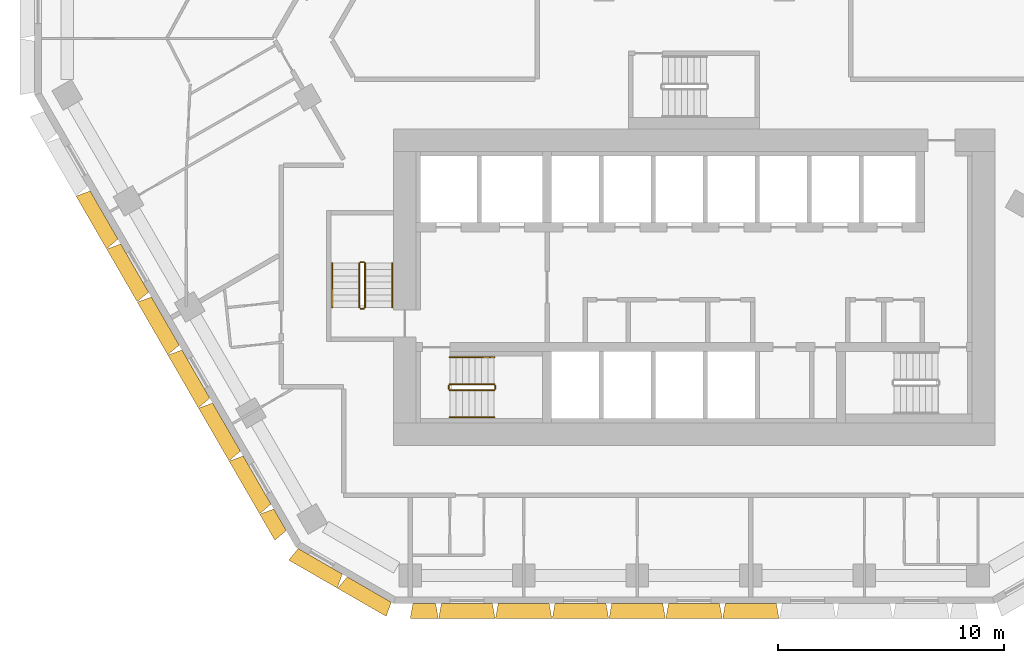
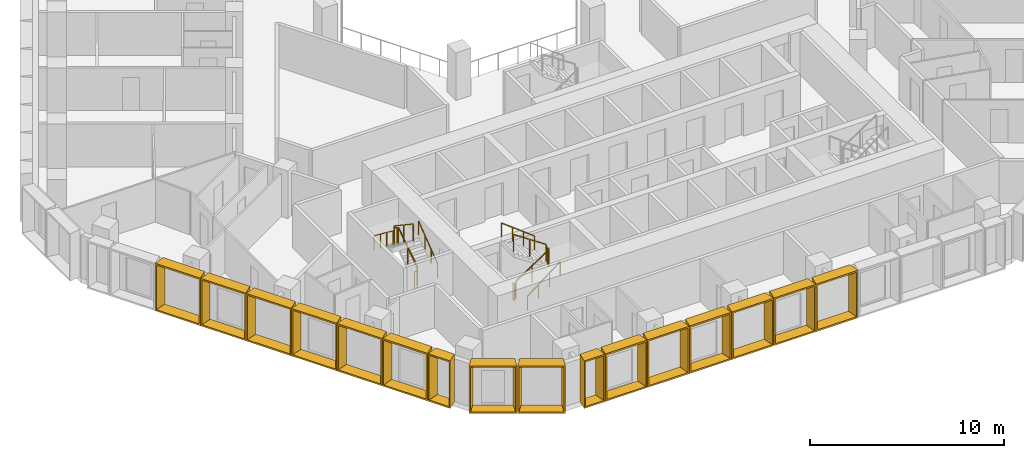
# One storey, part 13 of 16: 16 shading devices, 12 railings.
"""IFC4 building model written with IfcOpenShell, lengths in metres."""

from ifc_helpers import new_model, entity, si_unit, direction, frame, origin, origin_2d, place, context, subcontext, project, spatial, rectangle, extrude, source, transform, mapped, material, type_object, type_shapes, element, save


model = new_model("IFC4")

# Units and contexts
model_context = context("Model", 3, precision=1e-05, world=origin(), true_north=direction((0.0, 1.0)))
body_context = subcontext(model_context, "Body", "Model", "MODEL_VIEW")
ifc_project = project(units=[si_unit("LENGTHUNIT", "METRE"), si_unit("AREAUNIT", "SQUARE_METRE"), si_unit("VOLUMEUNIT", "CUBIC_METRE"), si_unit("PLANEANGLEUNIT", "RADIAN"), si_unit("MASSUNIT", "GRAM", prefix="KILO")], contexts=[model_context])

# Site, building, storey
site_placement = place(None, origin())
site = spatial("IfcSite", under=ifc_project, at=site_placement, CompositionType="ELEMENT")
building_placement = place(site_placement, origin())
building = spatial("IfcBuilding", under=site, at=building_placement, Name="Beryl Residences", CompositionType="ELEMENT")
storey_placement = place(building_placement, frame((0.0, 0.0, 90.0)))
storey = spatial("IfcBuildingStorey", under=building, at=storey_placement, Name="L27", CompositionType="ELEMENT", Elevation=90.0)

# Shading devices
ifc_material_1 = material(Name="Aluminium pale anodised", Category="aluminium")
shading_device_type_1 = type_object("IfcShadingDeviceType", Name="FR126-65A OUTER SKIN frame 650 mm deep, splay 10/10 deg, 1260 x 3000 mm cell", PredefinedType="USERDEFINED", material=ifc_material_1)
cartesian_point_1 = entity("IfcCartesianPoint", [-0.5048828125, 0.0])
cartesian_point_2 = entity("IfcCartesianPoint", [-0.423828125, 0.10009765625])
cartesian_point_3 = entity("IfcCartesianPoint", [-0.61962890625, 0.0])
cartesian_point_4 = entity("IfcCartesianPoint", [-0.538330078125, 0.10009765625])
shared_shape_1 = source(origin(), body_context, "Body", "SweptSolid", [
    entity("IfcExtrudedAreaSolidTapered", entity("IfcArbitraryProfileDefWithVoids", "AREA", None, entity("IfcPolyline", [cartesian_point_1, entity("IfcCartesianPoint", [0.5048828125, 0.0]), entity("IfcCartesianPoint", [0.5048828125, 3.0]), entity("IfcCartesianPoint", [-0.5048828125, 3.0]), cartesian_point_1]), [entity("IfcPolyline", [cartesian_point_2, entity("IfcCartesianPoint", [0.423828125, 0.10009765625]), entity("IfcCartesianPoint", [0.423828125, 2.89990234375]), entity("IfcCartesianPoint", [-0.423828125, 2.89990234375]), cartesian_point_2])]), entity("IfcAxis2Placement3D", entity("IfcCartesianPoint", [0.0, 0.0, 0.0]), entity("IfcDirection", [0.0, 1.0, 0.0]), entity("IfcDirection", [-1.0, 0.0, 0.0])), entity("IfcDirection", [0.0, 0.0, 1.0]), 0.64990234375, entity("IfcArbitraryProfileDefWithVoids", "AREA", None, entity("IfcPolyline", [cartesian_point_3, entity("IfcCartesianPoint", [0.61962890625, 0.0]), entity("IfcCartesianPoint", [0.61962890625, 3.0]), entity("IfcCartesianPoint", [-0.61962890625, 3.0]), cartesian_point_3]), [entity("IfcPolyline", [cartesian_point_4, entity("IfcCartesianPoint", [0.538330078125, 0.10009765625]), entity("IfcCartesianPoint", [0.538330078125, 2.89990234375]), entity("IfcCartesianPoint", [-0.538330078125, 2.89990234375]), cartesian_point_4])])),
])
type_shapes(shading_device_type_1, [shared_shape_1])
shading_device_1_placement = place(storey_placement, frame((-11.928955078125, -26.0, 0.0), z_axis=(0.0, 0.0, 1.0), x_axis=(-1.0, 0.0, 0.0)))
element("IfcShadingDevice", 1, at=shading_device_1_placement, inside=storey, type_object=shading_device_type_1, Name="FR126-65A frame L27 S 1", ObjectType="OUTER SKIN", PredefinedType="USERDEFINED", context=body_context, shape_type="MappedRepresentation", body=[
    mapped(shared_shape_1, transform((0.0, 0.0, 0.0))),
])
ifc_material_2 = material(Name="Aluminium pale anodised", Category="aluminium")
shading_device_type_2 = type_object("IfcShadingDeviceType", Name="FR135-65A OUTER SKIN frame 650 mm deep, splay 10/10 deg, 1350 x 3000 mm cell", PredefinedType="USERDEFINED", material=ifc_material_2)
cartesian_point_5 = entity("IfcCartesianPoint", [-0.550048828125, 0.0])
cartesian_point_6 = entity("IfcCartesianPoint", [-0.46875, 0.10009765625])
cartesian_point_7 = entity("IfcCartesianPoint", [-0.66455078125, 0.0])
cartesian_point_8 = entity("IfcCartesianPoint", [-0.58349609375, 0.10009765625])
shared_shape_2 = source(origin(), body_context, "Body", "SweptSolid", [
    entity("IfcExtrudedAreaSolidTapered", entity("IfcArbitraryProfileDefWithVoids", "AREA", None, entity("IfcPolyline", [cartesian_point_5, entity("IfcCartesianPoint", [0.550048828125, 0.0]), entity("IfcCartesianPoint", [0.550048828125, 3.0]), entity("IfcCartesianPoint", [-0.550048828125, 3.0]), cartesian_point_5]), [entity("IfcPolyline", [cartesian_point_6, entity("IfcCartesianPoint", [0.46875, 0.10009765625]), entity("IfcCartesianPoint", [0.46875, 2.89990234375]), entity("IfcCartesianPoint", [-0.46875, 2.89990234375]), cartesian_point_6])]), entity("IfcAxis2Placement3D", entity("IfcCartesianPoint", [0.0, 0.0, 0.0]), entity("IfcDirection", [0.0, 1.0, 0.0]), entity("IfcDirection", [-1.0, 0.0, 0.0])), entity("IfcDirection", [0.0, 0.0, 1.0]), 0.64990234375, entity("IfcArbitraryProfileDefWithVoids", "AREA", None, entity("IfcPolyline", [cartesian_point_7, entity("IfcCartesianPoint", [0.66455078125, 0.0]), entity("IfcCartesianPoint", [0.66455078125, 3.0]), entity("IfcCartesianPoint", [-0.66455078125, 3.0]), cartesian_point_7]), [entity("IfcPolyline", [cartesian_point_8, entity("IfcCartesianPoint", [0.58349609375, 0.10009765625]), entity("IfcCartesianPoint", [0.58349609375, 2.89990234375]), entity("IfcCartesianPoint", [-0.58349609375, 2.89990234375]), cartesian_point_8])])),
])
type_shapes(shading_device_type_2, [shared_shape_2])
shading_device_2_placement = place(storey_placement, frame((-18.30810546875, -22.2900390625, 0.0), z_axis=(0.0, 0.0, 1.0), x_axis=(-0.5, 0.866025403784, 0.0)))
element("IfcShadingDevice", 2, at=shading_device_2_placement, inside=storey, type_object=shading_device_type_2, Name="FR135-65A frame L27 SW 9", ObjectType="OUTER SKIN", PredefinedType="USERDEFINED", context=body_context, shape_type="MappedRepresentation", body=[
    mapped(shared_shape_2, transform((0.0, 0.0, 0.0))),
])
ifc_material_3 = material(Name="Aluminium pale anodised", Category="aluminium")
shading_device_type_3 = type_object("IfcShadingDeviceType", Name="FR250-65A OUTER SKIN frame 650 mm deep, splay 10/10 deg, 2500 x 3000 mm cell", PredefinedType="USERDEFINED", material=ifc_material_3)
cartesian_point_9 = entity("IfcCartesianPoint", [-1.125, 0.0])
cartesian_point_10 = entity("IfcCartesianPoint", [-1.043701171875, 0.10009765625])
cartesian_point_11 = entity("IfcCartesianPoint", [-1.239501953125, 0.0])
cartesian_point_12 = entity("IfcCartesianPoint", [-1.158447265625, 0.10009765625])
shared_shape_3 = source(origin(), body_context, "Body", "SweptSolid", [
    entity("IfcExtrudedAreaSolidTapered", entity("IfcArbitraryProfileDefWithVoids", "AREA", None, entity("IfcPolyline", [cartesian_point_9, entity("IfcCartesianPoint", [1.125, 0.0]), entity("IfcCartesianPoint", [1.125, 3.0]), entity("IfcCartesianPoint", [-1.125, 3.0]), cartesian_point_9]), [entity("IfcPolyline", [cartesian_point_10, entity("IfcCartesianPoint", [1.043701171875, 0.10009765625]), entity("IfcCartesianPoint", [1.043701171875, 2.89990234375]), entity("IfcCartesianPoint", [-1.043701171875, 2.89990234375]), cartesian_point_10])]), entity("IfcAxis2Placement3D", entity("IfcCartesianPoint", [0.0, 0.0, 0.0]), entity("IfcDirection", [0.0, 1.0, 0.0]), entity("IfcDirection", [-1.0, 0.0, 0.0])), entity("IfcDirection", [0.0, 0.0, 1.0]), 0.64990234375, entity("IfcArbitraryProfileDefWithVoids", "AREA", None, entity("IfcPolyline", [cartesian_point_11, entity("IfcCartesianPoint", [1.239501953125, 0.0]), entity("IfcCartesianPoint", [1.239501953125, 3.0]), entity("IfcCartesianPoint", [-1.239501953125, 3.0]), cartesian_point_11]), [entity("IfcPolyline", [cartesian_point_12, entity("IfcCartesianPoint", [1.158447265625, 0.10009765625]), entity("IfcCartesianPoint", [1.158447265625, 2.89990234375]), entity("IfcCartesianPoint", [-1.158447265625, 2.89990234375]), cartesian_point_12])])),
])
type_shapes(shading_device_type_3, [shared_shape_3])
for number, where, z_axis, x_axis, name in (
    (3, (-16.527099609375, -24.125, 0.0), (0.0, 0.0, 1.0), (-0.866025403784, 0.5, 0.0), "FR250-65A frame L27 SW-S 1"),
    (4, (-14.361083984375, -25.375, 0.0), (0.0, 0.0, 1.0), (-0.866025403784, 0.5, 0.0), "FR250-65A frame L27 SW-S 2"),
):
    element("IfcShadingDevice", number, at=place(storey_placement, frame(where, z_axis=z_axis, x_axis=x_axis)), inside=storey, type_object=shading_device_type_3, Name=name, ObjectType="OUTER SKIN", PredefinedType="USERDEFINED", context=body_context, shape_type="MappedRepresentation", body=[
        mapped(shared_shape_3, transform((0.0, 0.0, 0.0))),
    ])
ifc_material_4 = material(Name="Aluminium pale anodised", Category="aluminium")
shading_device_type_4 = type_object("IfcShadingDeviceType", Name="FR251-65A OUTER SKIN frame 650 mm deep, splay 10/10 deg, 2510 x 3000 mm cell", PredefinedType="USERDEFINED", material=ifc_material_4)
cartesian_point_13 = entity("IfcCartesianPoint", [-1.1298828125, 0.0])
cartesian_point_14 = entity("IfcCartesianPoint", [-1.048828125, 0.10009765625])
cartesian_point_15 = entity("IfcCartesianPoint", [-1.24462890625, 0.0])
cartesian_point_16 = entity("IfcCartesianPoint", [-1.163330078125, 0.10009765625])
shared_shape_4 = source(origin(), body_context, "Body", "SweptSolid", [
    entity("IfcExtrudedAreaSolidTapered", entity("IfcArbitraryProfileDefWithVoids", "AREA", None, entity("IfcPolyline", [cartesian_point_13, entity("IfcCartesianPoint", [1.1298828125, 0.0]), entity("IfcCartesianPoint", [1.1298828125, 3.0]), entity("IfcCartesianPoint", [-1.1298828125, 3.0]), cartesian_point_13]), [entity("IfcPolyline", [cartesian_point_14, entity("IfcCartesianPoint", [1.048828125, 0.10009765625]), entity("IfcCartesianPoint", [1.048828125, 2.89990234375]), entity("IfcCartesianPoint", [-1.048828125, 2.89990234375]), cartesian_point_14])]), entity("IfcAxis2Placement3D", entity("IfcCartesianPoint", [0.0, 0.0, 0.0]), entity("IfcDirection", [0.0, 1.0, 0.0]), entity("IfcDirection", [-1.0, 0.0, 0.0])), entity("IfcDirection", [0.0, 0.0, 1.0]), 0.64990234375, entity("IfcArbitraryProfileDefWithVoids", "AREA", None, entity("IfcPolyline", [cartesian_point_15, entity("IfcCartesianPoint", [1.24462890625, 0.0]), entity("IfcCartesianPoint", [1.24462890625, 3.0]), entity("IfcCartesianPoint", [-1.24462890625, 3.0]), cartesian_point_15]), [entity("IfcPolyline", [cartesian_point_16, entity("IfcCartesianPoint", [1.163330078125, 0.10009765625]), entity("IfcCartesianPoint", [1.163330078125, 2.89990234375]), entity("IfcCartesianPoint", [-1.163330078125, 2.89990234375]), cartesian_point_16])])),
])
type_shapes(shading_device_type_4, [shared_shape_4])
for number, where, z_axis, x_axis, name in (
    (5, (-10.0458984375, -26.0, 0.0), (0.0, 0.0, 1.0), (-1.0, 0.0, 0.0), "FR251-65A frame L27 S 2"),
    (6, (-7.533935546875, -26.0, 0.0), (0.0, 0.0, 1.0), (-1.0, 0.0, 0.0), "FR251-65A frame L27 S 3"),
    (7, (-5.02197265625, -26.0, 0.0), (0.0, 0.0, 1.0), (-1.0, 0.0, 0.0), "FR251-65A frame L27 S 4"),
    (8, (-2.510986328125, -26.0, 0.0), (0.0, 0.0, 1.0), (-1.0, 0.0, 0.0), "FR251-65A frame L27 S 5"),
    (9, (0.0, -26.0, 0.0), (0.0, 0.0, 1.0), (-1.0, 0.0, 0.0), "FR251-65A frame L27 S 6"),
    (10, (2.511962890625, -26.0, 0.0), (0.0, 0.0, 1.0), (-1.0, 0.0, 0.0), "FR251-65A frame L27 S 7"),
):
    element("IfcShadingDevice", number, at=place(storey_placement, frame(where, z_axis=z_axis, x_axis=x_axis)), inside=storey, type_object=shading_device_type_4, Name=name, ObjectType="OUTER SKIN", PredefinedType="USERDEFINED", context=body_context, shape_type="MappedRepresentation", body=[
        mapped(shared_shape_4, transform((0.0, 0.0, 0.0))),
    ])
ifc_material_5 = material(Name="Aluminium pale anodised", Category="aluminium")
shading_device_type_5 = type_object("IfcShadingDeviceType", Name="FR271-65A OUTER SKIN frame 650 mm deep, splay 10/10 deg, 2710 x 3000 mm cell", PredefinedType="USERDEFINED", material=ifc_material_5)
cartesian_point_17 = entity("IfcCartesianPoint", [-1.22998046875, 0.0])
cartesian_point_18 = entity("IfcCartesianPoint", [-1.148681640625, 0.10009765625])
cartesian_point_19 = entity("IfcCartesianPoint", [-1.3447265625, 0.0])
cartesian_point_20 = entity("IfcCartesianPoint", [-1.263427734375, 0.10009765625])
shared_shape_5 = source(origin(), body_context, "Body", "SweptSolid", [
    entity("IfcExtrudedAreaSolidTapered", entity("IfcArbitraryProfileDefWithVoids", "AREA", None, entity("IfcPolyline", [cartesian_point_17, entity("IfcCartesianPoint", [1.22998046875, 0.0]), entity("IfcCartesianPoint", [1.22998046875, 3.0]), entity("IfcCartesianPoint", [-1.22998046875, 3.0]), cartesian_point_17]), [entity("IfcPolyline", [cartesian_point_18, entity("IfcCartesianPoint", [1.148681640625, 0.10009765625]), entity("IfcCartesianPoint", [1.148681640625, 2.89990234375]), entity("IfcCartesianPoint", [-1.148681640625, 2.89990234375]), cartesian_point_18])]), entity("IfcAxis2Placement3D", entity("IfcCartesianPoint", [0.0, 0.0, 0.0]), entity("IfcDirection", [0.0, 1.0, 0.0]), entity("IfcDirection", [-1.0, 0.0, 0.0])), entity("IfcDirection", [0.0, 0.0, 1.0]), 0.64990234375, entity("IfcArbitraryProfileDefWithVoids", "AREA", None, entity("IfcPolyline", [cartesian_point_19, entity("IfcCartesianPoint", [1.3447265625, 0.0]), entity("IfcCartesianPoint", [1.3447265625, 3.0]), entity("IfcCartesianPoint", [-1.3447265625, 3.0]), cartesian_point_19]), [entity("IfcPolyline", [cartesian_point_20, entity("IfcCartesianPoint", [1.263427734375, 0.10009765625]), entity("IfcCartesianPoint", [1.263427734375, 2.89990234375]), entity("IfcCartesianPoint", [-1.263427734375, 2.89990234375]), cartesian_point_20])])),
])
type_shapes(shading_device_type_5, [shared_shape_5])
for number, where, z_axis, x_axis, name in (
    (11, (-26.090087890625, -8.81201171875, 0.0), (0.0, 0.0, 1.0), (-0.5, 0.866025403784, 0.0), "FR271-65A frame L27 SW 3"),
    (12, (-24.736083984375, -11.156005859375, 0.0), (0.0, 0.0, 1.0), (-0.5, 0.866025403784, 0.0), "FR271-65A frame L27 SW 4"),
    (13, (-23.383056640625, -13.5, 0.0), (0.0, 0.0, 1.0), (-0.5, 0.866025403784, 0.0), "FR271-65A frame L27 SW 5"),
    (14, (-22.030029296875, -15.843994140625, 0.0), (0.0, 0.0, 1.0), (-0.5, 0.866025403784, 0.0), "FR271-65A frame L27 SW 6"),
    (15, (-20.676025390625, -18.18798828125, 0.0), (0.0, 0.0, 1.0), (-0.5, 0.866025403784, 0.0), "FR271-65A frame L27 SW 7"),
    (16, (-19.322998046875, -20.531982421875, 0.0), (0.0, 0.0, 1.0), (-0.5, 0.866025403784, 0.0), "FR271-65A frame L27 SW 8"),
):
    element("IfcShadingDevice", number, at=place(storey_placement, frame(where, z_axis=z_axis, x_axis=x_axis)), inside=storey, type_object=shading_device_type_5, Name=name, ObjectType="OUTER SKIN", PredefinedType="USERDEFINED", context=body_context, shape_type="MappedRepresentation", body=[
        mapped(shared_shape_5, transform((0.0, 0.0, 0.0))),
    ])

# Railings
ifc_material_6 = material(Name="Stainless steel balustrade with glass infill", Category="steel")
railing_type_1 = type_object("IfcRailingType", Name="SG1 stair guard 1100 mm", PredefinedType="GUARDRAIL", material=ifc_material_6)
railing_1_placement = place(storey_placement, frame((-10.800048828125, -16.550048828125, 0.1875)))
element("IfcRailing", 17, at=railing_1_placement, inside=storey, type_object=railing_type_1, Name="L27 ST-1 stair guard 1", PredefinedType="GUARDRAIL", context=body_context, shape_type="SweptSolid", body=[
    extrude(rectangle(XDim=0.048095703125, YDim=0.048095703125, at=origin_2d()), frame((0.0, 0.0, 1.076171875), z_axis=(0.830902050051, 0.0, 0.556418712142), x_axis=(0.0, 1.0, 0.0)), (0.0, 0.0, 1.0), 2.35888671875),
    extrude(rectangle(XDim=0.0419921875, YDim=0.0419921875, at=origin_2d()), origin(), (0.0, 0.0, 1.0), 1.052001953125),
    extrude(rectangle(XDim=0.0419921875, YDim=0.0419921875, at=origin_2d()), frame((0.97998046875, 0.0, 0.65625)), (0.0, 0.0, 1.0), 1.052001953125),
    extrude(rectangle(XDim=0.0419921875, YDim=0.0419921875, at=origin_2d()), frame((1.9599609375, 0.0, 1.3125)), (0.0, 0.0, 1.0), 1.052001953125),
])
railing_2_placement = place(storey_placement, frame((-8.7900390625, -16.5, 1.5)))
element("IfcRailing", 18, at=railing_2_placement, inside=storey, type_object=railing_type_1, Name="L27 ST-1 stair guard 2", PredefinedType="GUARDRAIL", context=body_context, shape_type="SweptSolid", body=[
    extrude(rectangle(XDim=0.048095703125, YDim=0.048095703125, at=origin_2d()), frame((0.0, 0.0, 1.076171875), z_axis=(0.0, 1.0, 0.0), x_axis=(-1.0, 0.0, 0.0)), (0.0, 0.0, 1.0), 0.14990234375),
    extrude(rectangle(XDim=0.0419921875, YDim=0.0419921875, at=origin_2d()), origin(), (0.0, 0.0, 1.0), 1.052001953125),
    extrude(rectangle(XDim=0.0419921875, YDim=0.0419921875, at=origin_2d()), frame((0.0, 0.14990234375, 0.0)), (0.0, 0.0, 1.0), 1.052001953125),
])
railing_3_placement = place(storey_placement, frame((-8.840087890625, -16.300048828125, 1.6875)))
element("IfcRailing", 19, at=railing_3_placement, inside=storey, type_object=railing_type_1, Name="L27 ST-1 stair guard 3", PredefinedType="GUARDRAIL", context=body_context, shape_type="SweptSolid", body=[
    extrude(rectangle(XDim=0.048095703125, YDim=0.048095703125, at=origin_2d()), frame((0.0, 0.0, 1.076171875), z_axis=(-0.830902050051, 0.0, 0.556418712142), x_axis=(0.0, -1.0, 0.0)), (0.0, 0.0, 1.0), 2.35888671875),
    extrude(rectangle(XDim=0.0419921875, YDim=0.0419921875, at=origin_2d()), origin(), (0.0, 0.0, 1.0), 1.052001953125),
    extrude(rectangle(XDim=0.0419921875, YDim=0.0419921875, at=origin_2d()), frame((-0.97998046875, 0.0, 0.65625)), (0.0, 0.0, 1.0), 1.052001953125),
    extrude(rectangle(XDim=0.0419921875, YDim=0.0419921875, at=origin_2d()), frame((-1.9599609375, 0.0, 1.3125)), (0.0, 0.0, 1.0), 1.052001953125),
])
railing_4_placement = place(storey_placement, frame((-10.85009765625, -16.5, 0.0)))
element("IfcRailing", 20, at=railing_4_placement, inside=storey, type_object=railing_type_1, Name="L27 ST-1 stair guard 4", PredefinedType="GUARDRAIL", context=body_context, shape_type="SweptSolid", body=[
    extrude(rectangle(XDim=0.048095703125, YDim=0.048095703125, at=origin_2d()), frame((0.0, 0.0, 1.076171875), z_axis=(0.0, 1.0, 0.0), x_axis=(-1.0, 0.0, 0.0)), (0.0, 0.0, 1.0), 0.14990234375),
    extrude(rectangle(XDim=0.0419921875, YDim=0.0419921875, at=origin_2d()), origin(), (0.0, 0.0, 1.0), 1.052001953125),
    extrude(rectangle(XDim=0.0419921875, YDim=0.0419921875, at=origin_2d()), frame((0.0, 0.14990234375, 0.0)), (0.0, 0.0, 1.0), 1.052001953125),
])
railing_5_placement = place(storey_placement, frame((-14.550048828125, -12.89990234375, 0.1875)))
element("IfcRailing", 21, at=railing_5_placement, inside=storey, type_object=railing_type_1, Name="L27 ST-2 stair guard 1", PredefinedType="GUARDRAIL", context=body_context, shape_type="SweptSolid", body=[
    extrude(rectangle(XDim=0.048095703125, YDim=0.048095703125, at=origin_2d()), frame((0.0, 0.0, 1.076171875), z_axis=(0.0, 0.830902050051, 0.556418712142), x_axis=(-1.0, 0.0, 0.0)), (0.0, 0.0, 1.0), 2.35888671875),
    extrude(rectangle(XDim=0.0419921875, YDim=0.0419921875, at=origin_2d()), origin(), (0.0, 0.0, 1.0), 1.052001953125),
    extrude(rectangle(XDim=0.0419921875, YDim=0.0419921875, at=origin_2d()), frame((0.0, 0.97998046875, 0.65625)), (0.0, 0.0, 1.0), 1.052001953125),
    extrude(rectangle(XDim=0.0419921875, YDim=0.0419921875, at=origin_2d()), frame((0.0, 1.9599609375, 1.3125)), (0.0, 0.0, 1.0), 1.052001953125),
])
railing_6_placement = place(storey_placement, frame((-14.60009765625, -10.889892578125, 1.5)))
element("IfcRailing", 22, at=railing_6_placement, inside=storey, type_object=railing_type_1, Name="L27 ST-2 stair guard 2", PredefinedType="GUARDRAIL", context=body_context, shape_type="SweptSolid", body=[
    extrude(rectangle(XDim=0.048095703125, YDim=0.048095703125, at=origin_2d()), frame((0.0, 0.0, 1.076171875), z_axis=(-1.0, 0.0, 0.0), x_axis=(0.0, -1.0, 0.0)), (0.0, 0.0, 1.0), 0.14990234375),
    extrude(rectangle(XDim=0.0419921875, YDim=0.0419921875, at=origin_2d()), origin(), (0.0, 0.0, 1.0), 1.052001953125),
    extrude(rectangle(XDim=0.0419921875, YDim=0.0419921875, at=origin_2d()), frame((-0.14990234375, 0.0, 0.0)), (0.0, 0.0, 1.0), 1.052001953125),
])
railing_7_placement = place(storey_placement, frame((-14.800048828125, -10.93994140625, 1.6875)))
element("IfcRailing", 23, at=railing_7_placement, inside=storey, type_object=railing_type_1, Name="L27 ST-2 stair guard 3", PredefinedType="GUARDRAIL", context=body_context, shape_type="SweptSolid", body=[
    extrude(rectangle(XDim=0.048095703125, YDim=0.048095703125, at=origin_2d()), frame((0.0, 0.0, 1.076171875), z_axis=(0.0, -0.830902050051, 0.556418712142), x_axis=(1.0, 0.0, 0.0)), (0.0, 0.0, 1.0), 2.35888671875),
    extrude(rectangle(XDim=0.0419921875, YDim=0.0419921875, at=origin_2d()), origin(), (0.0, 0.0, 1.0), 1.052001953125),
    extrude(rectangle(XDim=0.0419921875, YDim=0.0419921875, at=origin_2d()), frame((0.0, -0.97998046875, 0.65625)), (0.0, 0.0, 1.0), 1.052001953125),
    extrude(rectangle(XDim=0.0419921875, YDim=0.0419921875, at=origin_2d()), frame((0.0, -1.9599609375, 1.3125)), (0.0, 0.0, 1.0), 1.052001953125),
])
railing_8_placement = place(storey_placement, frame((-14.60009765625, -12.949951171875, 0.0)))
element("IfcRailing", 24, at=railing_8_placement, inside=storey, type_object=railing_type_1, Name="L27 ST-2 stair guard 4", PredefinedType="GUARDRAIL", context=body_context, shape_type="SweptSolid", body=[
    extrude(rectangle(XDim=0.048095703125, YDim=0.048095703125, at=origin_2d()), frame((0.0, 0.0, 1.076171875), z_axis=(-1.0, 0.0, 0.0), x_axis=(0.0, -1.0, 0.0)), (0.0, 0.0, 1.0), 0.14990234375),
    extrude(rectangle(XDim=0.0419921875, YDim=0.0419921875, at=origin_2d()), origin(), (0.0, 0.0, 1.0), 1.052001953125),
    extrude(rectangle(XDim=0.0419921875, YDim=0.0419921875, at=origin_2d()), frame((-0.14990234375, 0.0, 0.0)), (0.0, 0.0, 1.0), 1.052001953125),
])
ifc_material_7 = material(Name="Stainless steel handrail", Category="steel")
railing_type_2 = type_object("IfcRailingType", Name="SRL1 stair handrail 900 mm", PredefinedType="HANDRAIL", material=ifc_material_7)
railing_9_placement = place(storey_placement, frame((-10.800048828125, -17.75, 0.1875)))
element("IfcRailing", 25, at=railing_9_placement, inside=storey, type_object=railing_type_2, Name="L27 ST-1 stair handrail 1", PredefinedType="HANDRAIL", context=body_context, shape_type="SweptSolid", body=[
    extrude(rectangle(XDim=0.048095703125, YDim=0.048095703125, at=origin_2d()), frame((0.0, 0.0, 0.8759765625), z_axis=(0.794121922505, 0.0, 0.607758481798), x_axis=(0.0, 1.0, 0.0)), (0.0, 0.0, 1.0), 2.468017578125),
    extrude(rectangle(XDim=0.0419921875, YDim=0.0419921875, at=origin_2d()), origin(), (0.0, 0.0, 1.0), 0.851806640625),
    extrude(rectangle(XDim=0.0419921875, YDim=0.0419921875, at=origin_2d()), frame((0.6533203125, 0.0, 0.5)), (0.0, 0.0, 1.0), 0.851806640625),
    extrude(rectangle(XDim=0.0419921875, YDim=0.0419921875, at=origin_2d()), frame((1.306640625, 0.0, 1.0)), (0.0, 0.0, 1.0), 0.851806640625),
    extrude(rectangle(XDim=0.0419921875, YDim=0.0419921875, at=origin_2d()), frame((1.9599609375, 0.0, 1.5)), (0.0, 0.0, 1.0), 0.851806640625),
])
railing_10_placement = place(storey_placement, frame((-8.840087890625, -15.10009765625, 1.6875)))
element("IfcRailing", 26, at=railing_10_placement, inside=storey, type_object=railing_type_2, Name="L27 ST-1 stair handrail 2", PredefinedType="HANDRAIL", context=body_context, shape_type="SweptSolid", body=[
    extrude(rectangle(XDim=0.048095703125, YDim=0.048095703125, at=origin_2d()), frame((0.0, 0.0, 0.8759765625), z_axis=(-0.794121922505, 0.0, 0.607758481798), x_axis=(0.0, -1.0, 0.0)), (0.0, 0.0, 1.0), 2.468017578125),
    extrude(rectangle(XDim=0.0419921875, YDim=0.0419921875, at=origin_2d()), origin(), (0.0, 0.0, 1.0), 0.851806640625),
    extrude(rectangle(XDim=0.0419921875, YDim=0.0419921875, at=origin_2d()), frame((-0.6533203125, 0.0, 0.5)), (0.0, 0.0, 1.0), 0.851806640625),
    extrude(rectangle(XDim=0.0419921875, YDim=0.0419921875, at=origin_2d()), frame((-1.306640625, 0.0, 1.0)), (0.0, 0.0, 1.0), 0.851806640625),
    extrude(rectangle(XDim=0.0419921875, YDim=0.0419921875, at=origin_2d()), frame((-1.9599609375, 0.0, 1.5)), (0.0, 0.0, 1.0), 0.851806640625),
])
railing_11_placement = place(storey_placement, frame((-13.35009765625, -12.89990234375, 0.1875)))
element("IfcRailing", 27, at=railing_11_placement, inside=storey, type_object=railing_type_2, Name="L27 ST-2 stair handrail 1", PredefinedType="HANDRAIL", context=body_context, shape_type="SweptSolid", body=[
    extrude(rectangle(XDim=0.048095703125, YDim=0.048095703125, at=origin_2d()), frame((0.0, 0.0, 0.8759765625), z_axis=(0.0, 0.794121922505, 0.607758481798), x_axis=(-1.0, 0.0, 0.0)), (0.0, 0.0, 1.0), 2.468017578125),
    extrude(rectangle(XDim=0.0419921875, YDim=0.0419921875, at=origin_2d()), origin(), (0.0, 0.0, 1.0), 0.851806640625),
    extrude(rectangle(XDim=0.0419921875, YDim=0.0419921875, at=origin_2d()), frame((0.0, 0.6533203125, 0.5)), (0.0, 0.0, 1.0), 0.851806640625),
    extrude(rectangle(XDim=0.0419921875, YDim=0.0419921875, at=origin_2d()), frame((0.0, 1.306640625, 1.0)), (0.0, 0.0, 1.0), 0.851806640625),
    extrude(rectangle(XDim=0.0419921875, YDim=0.0419921875, at=origin_2d()), frame((0.0, 1.9599609375, 1.5)), (0.0, 0.0, 1.0), 0.851806640625),
])
railing_12_placement = place(storey_placement, frame((-16.0, -10.93994140625, 1.6875)))
element("IfcRailing", 28, at=railing_12_placement, inside=storey, type_object=railing_type_2, Name="L27 ST-2 stair handrail 2", PredefinedType="HANDRAIL", context=body_context, shape_type="SweptSolid", body=[
    extrude(rectangle(XDim=0.048095703125, YDim=0.048095703125, at=origin_2d()), frame((0.0, 0.0, 0.8759765625), z_axis=(0.0, -0.794121922505, 0.607758481798), x_axis=(1.0, 0.0, 0.0)), (0.0, 0.0, 1.0), 2.468017578125),
    extrude(rectangle(XDim=0.0419921875, YDim=0.0419921875, at=origin_2d()), origin(), (0.0, 0.0, 1.0), 0.851806640625),
    extrude(rectangle(XDim=0.0419921875, YDim=0.0419921875, at=origin_2d()), frame((0.0, -0.6533203125, 0.5)), (0.0, 0.0, 1.0), 0.851806640625),
    extrude(rectangle(XDim=0.0419921875, YDim=0.0419921875, at=origin_2d()), frame((0.0, -1.306640625, 1.0)), (0.0, 0.0, 1.0), 0.851806640625),
    extrude(rectangle(XDim=0.0419921875, YDim=0.0419921875, at=origin_2d()), frame((0.0, -1.9599609375, 1.5)), (0.0, 0.0, 1.0), 0.851806640625),
])

save(model, "model.ifc")
